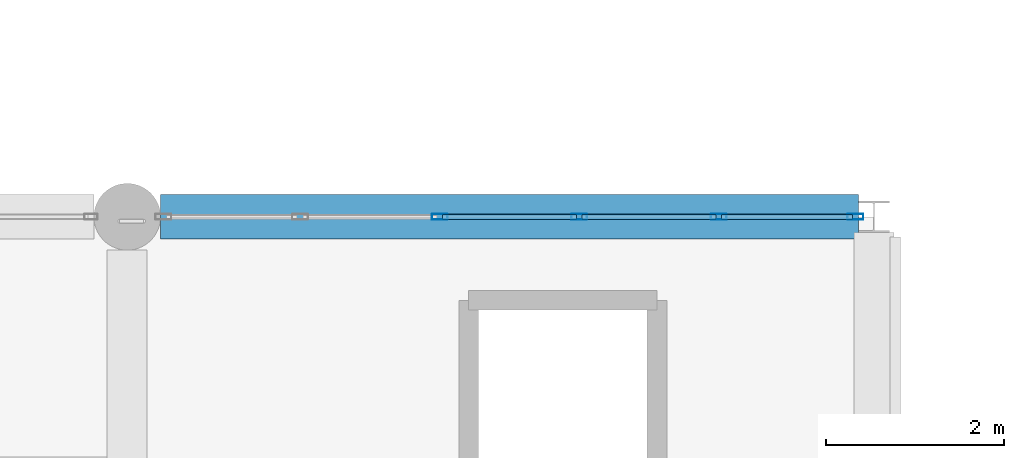
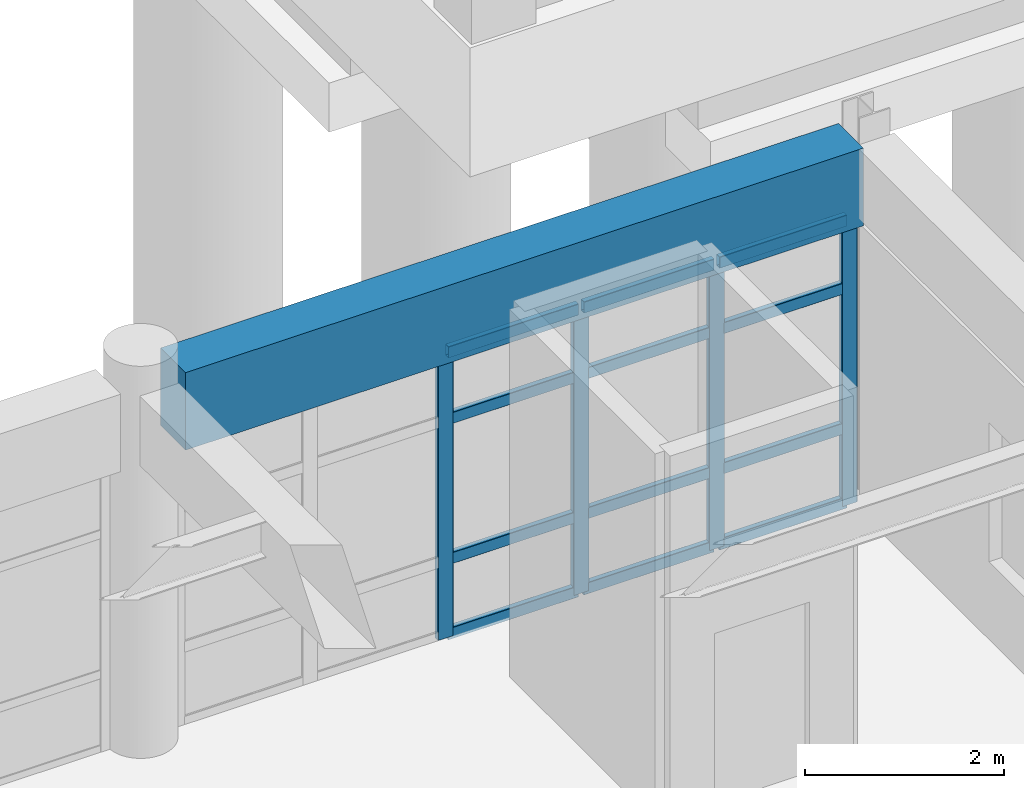
# One storey, part 26 of 139: 16 members, 1 beam, 1 element without a shape of its own.
"""IFC4 building model written with IfcOpenShell, lengths in metres."""

from ifc_helpers import new_model, si_unit, direction, frame, origin, origin_2d, place, context, subcontext, project, spatial, rectangle, hollow_rectangle, extrude, material, material_profile, profile_set, type_object, element, aggregate, save


model = new_model("IFC4")

# Units and contexts
model_context = context("Model", 3, precision=1e-05, world=origin(), true_north=direction((0.0, 1.0)))
body_context = subcontext(model_context, "Body", "Model", "MODEL_VIEW")
ifc_project = project(units=[si_unit("LENGTHUNIT", "METRE"), si_unit("AREAUNIT", "SQUARE_METRE"), si_unit("VOLUMEUNIT", "CUBIC_METRE"), si_unit("PLANEANGLEUNIT", "RADIAN"), si_unit("MASSUNIT", "GRAM", prefix="KILO")], contexts=[model_context])

# Site, building, storey
site_placement = place(None, origin())
site = spatial("IfcSite", under=ifc_project, at=site_placement, CompositionType="ELEMENT")
building_placement = place(site_placement, origin())
building = spatial("IfcBuilding", under=site, at=building_placement, Name="Canglan Escarpment Cableway Terminal", CompositionType="ELEMENT")
storey_placement = place(building_placement, frame((0.0, 0.0, 14.39990234375)))
storey = spatial("IfcBuildingStorey", under=building, at=storey_placement, Name="L03", CompositionType="ELEMENT", Elevation=14.39990234375)

# Beam
ifc_material_1 = material(Name="Concrete C50", Category="concrete")
ifc_material_profile_1 = material_profile(ifc_material_1, rectangle(XDim=0.5, YDim=0.949951171875, at=origin_2d()), Name="RC 500x950")
ifc_profile_set_1 = profile_set([ifc_material_profile_1], Name="Concrete C50")
beam_type = type_object("IfcBeamType", Name="BM-RC500x950", PredefinedType="BEAM", material=ifc_profile_set_1)
beam_placement = place(storey_placement, frame((128.675048828125, 24.800048828125, 4.005126953125), z_axis=(1.0, 0.0, 0.0), x_axis=(0.0, 1.0, 0.0)))
element("IfcBeam", 1, at=beam_placement, inside=storey, type_object=beam_type, Name="Primary structural girder B-01", PredefinedType="BEAM", context=body_context, shape_type="SweptSolid", body=[
    extrude(rectangle(XDim=0.5, YDim=0.949951171875, at=origin_2d()), origin(), (0.0, 0.0, 1.0), 7.849853515625),
])

# Curtain wall, members
ifc_material_2 = material(Name="Anodized bronze aluminium and Low-E double glazing", Category="aluminium")
curtain_wall_type = type_object("IfcCurtainWallType", Name="CW-BAY-7850x3525", PredefinedType="NOTDEFINED", material=ifc_material_2)
curtain_wall_placement = place(storey_placement, origin())
curtain_wall = element("IfcCurtainWall", 2, at=curtain_wall_placement, inside=storey, type_object=curtain_wall_type, Name="Classical bay-between-piers glazed curtain wall CW-19", PredefinedType="NOTDEFINED")
ifc_material_3 = material(Name="Thermally broken anodized aluminium 6063-T6", Category="aluminium")
ifc_material_profile_2 = material_profile(ifc_material_3, hollow_rectangle(XDim=0.06494140625, YDim=0.179931640625, WallThickness=0.00390625, InnerFilletRadius=0.00390625, OuterFilletRadius=0.008056640625, at=origin_2d()), Name="ALU-MULL 65x180x4")
ifc_profile_set_2 = profile_set([ifc_material_profile_2], Name="Thermally broken anodized aluminium 6063-T6")
member_type_1 = type_object("IfcMemberType", Name="CWM-03", PredefinedType="MULLION", material=ifc_profile_set_2)
member_1_placement = place(storey_placement, frame((136.492431640625, 24.800048828125, 0.0), z_axis=(0.0, 0.0, 1.0), x_axis=(0.0, -1.0, 0.0)))
member_1 = element("IfcMember", 3, at=member_1_placement, type_object=member_type_1, Name="CW-19 mullion 1", PredefinedType="MULLION", context=body_context, shape_type="SweptSolid", body=[
    extrude(hollow_rectangle(XDim=0.06494140625, YDim=0.179931640625, WallThickness=0.00390625, InnerFilletRadius=0.00390625, OuterFilletRadius=0.008056640625, at=origin_2d()), origin(), (0.0, 0.0, 1.0), 3.51513671875),
])
member_2_placement = place(storey_placement, frame((134.955078125, 24.800048828125, 0.0), z_axis=(0.0, 0.0, 1.0), x_axis=(0.0, -1.0, 0.0)))
member_2 = element("IfcMember", 4, at=member_2_placement, type_object=member_type_1, Name="CW-19 mullion 2", PredefinedType="MULLION", context=body_context, shape_type="SweptSolid", body=[
    extrude(hollow_rectangle(XDim=0.06494140625, YDim=0.179931640625, WallThickness=0.00390625, InnerFilletRadius=0.00390625, OuterFilletRadius=0.008056640625, at=origin_2d()), origin(), (0.0, 0.0, 1.0), 3.51513671875),
])
member_3_placement = place(storey_placement, frame((133.385009765625, 24.800048828125, 0.0), z_axis=(0.0, 0.0, 1.0), x_axis=(0.0, -1.0, 0.0)))
member_3 = element("IfcMember", 5, at=member_3_placement, type_object=member_type_1, Name="CW-19 mullion 3", PredefinedType="MULLION", context=body_context, shape_type="SweptSolid", body=[
    extrude(hollow_rectangle(XDim=0.06494140625, YDim=0.179931640625, WallThickness=0.00390625, InnerFilletRadius=0.00390625, OuterFilletRadius=0.008056640625, at=origin_2d()), origin(), (0.0, 0.0, 1.0), 3.51513671875),
])
member_4_placement = place(storey_placement, frame((131.81494140625, 24.800048828125, 0.0), z_axis=(0.0, 0.0, 1.0), x_axis=(0.0, -1.0, 0.0)))
member_4 = element("IfcMember", 6, at=member_4_placement, type_object=member_type_1, Name="CW-19 mullion 4", PredefinedType="MULLION", context=body_context, shape_type="SweptSolid", body=[
    extrude(hollow_rectangle(XDim=0.06494140625, YDim=0.179931640625, WallThickness=0.00390625, InnerFilletRadius=0.00390625, OuterFilletRadius=0.008056640625, at=origin_2d()), origin(), (0.0, 0.0, 1.0), 3.51513671875),
])
ifc_material_profile_3 = material_profile(ifc_material_3, hollow_rectangle(XDim=0.06494140625, YDim=0.139892578125, WallThickness=0.00341796875, InnerFilletRadius=0.00341796875, OuterFilletRadius=0.007080078125, at=origin_2d()), Name="ALU-TRAN 65x140x3.5")
ifc_profile_set_3 = profile_set([ifc_material_profile_3], Name="Thermally broken anodized aluminium 6063-T6")
member_type_2 = type_object("IfcMemberType", Name="CWT-03", PredefinedType="USERDEFINED", material=ifc_profile_set_3)
member_5_placement = place(storey_placement, frame((136.4599609375, 24.800048828125, 0.03271484375), z_axis=(-1.0, 0.0, 0.0), x_axis=(0.0, -1.0, 0.0)))
member_5 = element("IfcMember", 7, at=member_5_placement, type_object=member_type_2, Name="CW-19 transom 1.1", ObjectType="TRANSOM", PredefinedType="USERDEFINED", context=body_context, shape_type="SweptSolid", body=[
    extrude(hollow_rectangle(XDim=0.06494140625, YDim=0.139892578125, WallThickness=0.00341796875, InnerFilletRadius=0.00341796875, OuterFilletRadius=0.007080078125, at=origin_2d()), origin(), (0.0, 0.0, 1.0), 1.472412109375),
])
member_6_placement = place(storey_placement, frame((136.4599609375, 24.800048828125, 0.9501953125), z_axis=(-1.0, 0.0, 0.0), x_axis=(0.0, -1.0, 0.0)))
member_6 = element("IfcMember", 8, at=member_6_placement, type_object=member_type_2, Name="CW-19 transom 1.2", ObjectType="TRANSOM", PredefinedType="USERDEFINED", context=body_context, shape_type="SweptSolid", body=[
    extrude(hollow_rectangle(XDim=0.06494140625, YDim=0.139892578125, WallThickness=0.00341796875, InnerFilletRadius=0.00341796875, OuterFilletRadius=0.007080078125, at=origin_2d()), origin(), (0.0, 0.0, 1.0), 1.472412109375),
])
member_7_placement = place(storey_placement, frame((136.4599609375, 24.800048828125, 2.6650390625), z_axis=(-1.0, 0.0, 0.0), x_axis=(0.0, -1.0, 0.0)))
member_7 = element("IfcMember", 9, at=member_7_placement, type_object=member_type_2, Name="CW-19 transom 1.3", ObjectType="TRANSOM", PredefinedType="USERDEFINED", context=body_context, shape_type="SweptSolid", body=[
    extrude(hollow_rectangle(XDim=0.06494140625, YDim=0.139892578125, WallThickness=0.00341796875, InnerFilletRadius=0.00341796875, OuterFilletRadius=0.007080078125, at=origin_2d()), origin(), (0.0, 0.0, 1.0), 1.472412109375),
])
member_8_placement = place(storey_placement, frame((136.4599609375, 24.800048828125, 3.482666015625), z_axis=(-1.0, 0.0, 0.0), x_axis=(0.0, -1.0, 0.0)))
member_8 = element("IfcMember", 10, at=member_8_placement, type_object=member_type_2, Name="CW-19 transom 1.4", ObjectType="TRANSOM", PredefinedType="USERDEFINED", context=body_context, shape_type="SweptSolid", body=[
    extrude(hollow_rectangle(XDim=0.06494140625, YDim=0.139892578125, WallThickness=0.00341796875, InnerFilletRadius=0.00341796875, OuterFilletRadius=0.007080078125, at=origin_2d()), origin(), (0.0, 0.0, 1.0), 1.472412109375),
])
member_9_placement = place(storey_placement, frame((134.922607421875, 24.800048828125, 0.03271484375), z_axis=(-1.0, 0.0, 0.0), x_axis=(0.0, -1.0, 0.0)))
member_9 = element("IfcMember", 11, at=member_9_placement, type_object=member_type_2, Name="CW-19 transom 2.1", ObjectType="TRANSOM", PredefinedType="USERDEFINED", context=body_context, shape_type="SweptSolid", body=[
    extrude(hollow_rectangle(XDim=0.06494140625, YDim=0.139892578125, WallThickness=0.00341796875, InnerFilletRadius=0.00341796875, OuterFilletRadius=0.007080078125, at=origin_2d()), origin(), (0.0, 0.0, 1.0), 1.505126953125),
])
member_10_placement = place(storey_placement, frame((134.922607421875, 24.800048828125, 0.9501953125), z_axis=(-1.0, 0.0, 0.0), x_axis=(0.0, -1.0, 0.0)))
member_10 = element("IfcMember", 12, at=member_10_placement, type_object=member_type_2, Name="CW-19 transom 2.2", ObjectType="TRANSOM", PredefinedType="USERDEFINED", context=body_context, shape_type="SweptSolid", body=[
    extrude(hollow_rectangle(XDim=0.06494140625, YDim=0.139892578125, WallThickness=0.00341796875, InnerFilletRadius=0.00341796875, OuterFilletRadius=0.007080078125, at=origin_2d()), origin(), (0.0, 0.0, 1.0), 1.505126953125),
])
member_11_placement = place(storey_placement, frame((134.922607421875, 24.800048828125, 2.6650390625), z_axis=(-1.0, 0.0, 0.0), x_axis=(0.0, -1.0, 0.0)))
member_11 = element("IfcMember", 13, at=member_11_placement, type_object=member_type_2, Name="CW-19 transom 2.3", ObjectType="TRANSOM", PredefinedType="USERDEFINED", context=body_context, shape_type="SweptSolid", body=[
    extrude(hollow_rectangle(XDim=0.06494140625, YDim=0.139892578125, WallThickness=0.00341796875, InnerFilletRadius=0.00341796875, OuterFilletRadius=0.007080078125, at=origin_2d()), origin(), (0.0, 0.0, 1.0), 1.505126953125),
])
member_12_placement = place(storey_placement, frame((134.922607421875, 24.800048828125, 3.482666015625), z_axis=(-1.0, 0.0, 0.0), x_axis=(0.0, -1.0, 0.0)))
member_12 = element("IfcMember", 14, at=member_12_placement, type_object=member_type_2, Name="CW-19 transom 2.4", ObjectType="TRANSOM", PredefinedType="USERDEFINED", context=body_context, shape_type="SweptSolid", body=[
    extrude(hollow_rectangle(XDim=0.06494140625, YDim=0.139892578125, WallThickness=0.00341796875, InnerFilletRadius=0.00341796875, OuterFilletRadius=0.007080078125, at=origin_2d()), origin(), (0.0, 0.0, 1.0), 1.505126953125),
])
member_13_placement = place(storey_placement, frame((133.3525390625, 24.800048828125, 0.03271484375), z_axis=(-1.0, 0.0, 0.0), x_axis=(0.0, -1.0, 0.0)))
member_13 = element("IfcMember", 15, at=member_13_placement, type_object=member_type_2, Name="CW-19 transom 3.1", ObjectType="TRANSOM", PredefinedType="USERDEFINED", context=body_context, shape_type="SweptSolid", body=[
    extrude(hollow_rectangle(XDim=0.06494140625, YDim=0.139892578125, WallThickness=0.00341796875, InnerFilletRadius=0.00341796875, OuterFilletRadius=0.007080078125, at=origin_2d()), origin(), (0.0, 0.0, 1.0), 1.505126953125),
])
member_14_placement = place(storey_placement, frame((133.3525390625, 24.800048828125, 0.9501953125), z_axis=(-1.0, 0.0, 0.0), x_axis=(0.0, -1.0, 0.0)))
member_14 = element("IfcMember", 16, at=member_14_placement, type_object=member_type_2, Name="CW-19 transom 3.2", ObjectType="TRANSOM", PredefinedType="USERDEFINED", context=body_context, shape_type="SweptSolid", body=[
    extrude(hollow_rectangle(XDim=0.06494140625, YDim=0.139892578125, WallThickness=0.00341796875, InnerFilletRadius=0.00341796875, OuterFilletRadius=0.007080078125, at=origin_2d()), origin(), (0.0, 0.0, 1.0), 1.505126953125),
])
member_15_placement = place(storey_placement, frame((133.3525390625, 24.800048828125, 2.6650390625), z_axis=(-1.0, 0.0, 0.0), x_axis=(0.0, -1.0, 0.0)))
member_15 = element("IfcMember", 17, at=member_15_placement, type_object=member_type_2, Name="CW-19 transom 3.3", ObjectType="TRANSOM", PredefinedType="USERDEFINED", context=body_context, shape_type="SweptSolid", body=[
    extrude(hollow_rectangle(XDim=0.06494140625, YDim=0.139892578125, WallThickness=0.00341796875, InnerFilletRadius=0.00341796875, OuterFilletRadius=0.007080078125, at=origin_2d()), origin(), (0.0, 0.0, 1.0), 1.505126953125),
])
member_16_placement = place(storey_placement, frame((133.3525390625, 24.800048828125, 3.482666015625), z_axis=(-1.0, 0.0, 0.0), x_axis=(0.0, -1.0, 0.0)))
member_16 = element("IfcMember", 18, at=member_16_placement, type_object=member_type_2, Name="CW-19 transom 3.4", ObjectType="TRANSOM", PredefinedType="USERDEFINED", context=body_context, shape_type="SweptSolid", body=[
    extrude(hollow_rectangle(XDim=0.06494140625, YDim=0.139892578125, WallThickness=0.00341796875, InnerFilletRadius=0.00341796875, OuterFilletRadius=0.007080078125, at=origin_2d()), origin(), (0.0, 0.0, 1.0), 1.505126953125),
])
aggregate(curtain_wall, [member_1, member_2, member_3, member_4, member_5, member_6, member_7, member_8, member_9, member_10, member_11, member_12, member_13, member_14, member_15, member_16])

save(model, "model.ifc")
